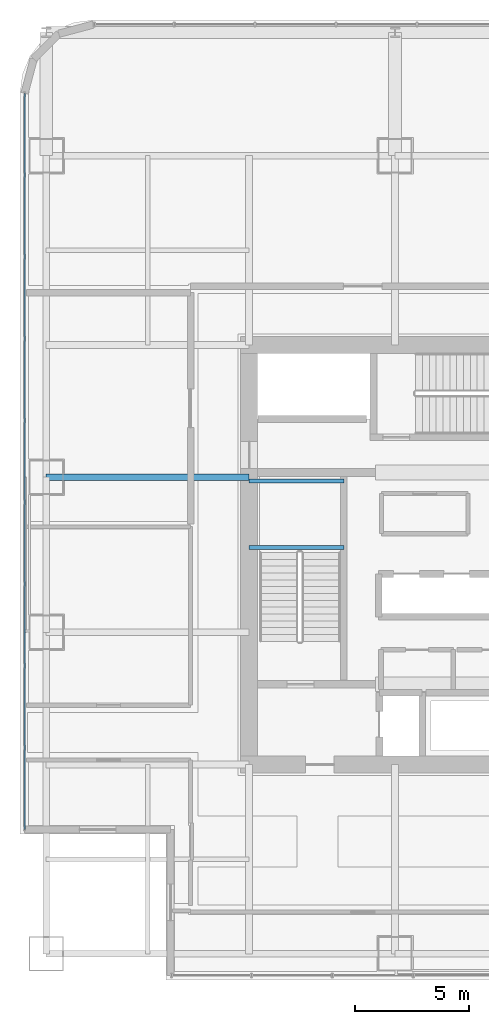
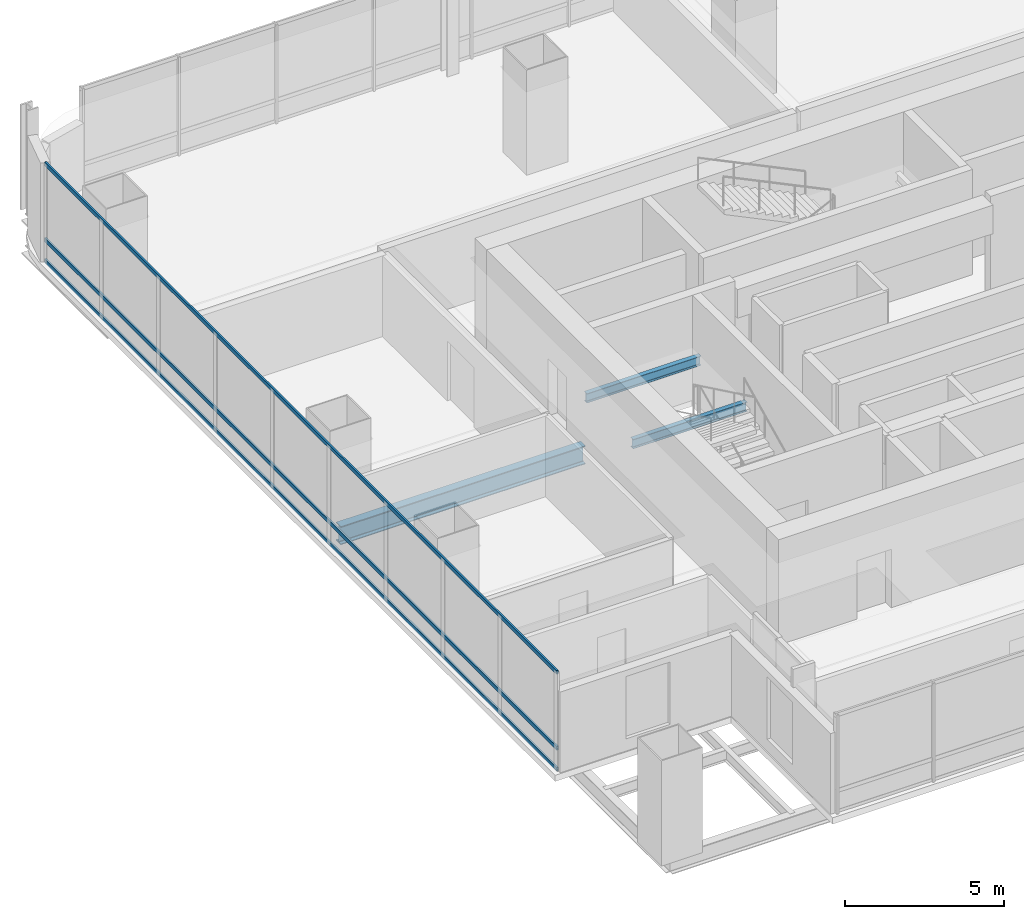
# One storey, part 10 of 35: 3 beams, 3 members, 1 element without a shape of its own.
"""IFC4 building model written with IfcOpenShell, lengths in metres."""

from ifc_helpers import new_model, si_unit, direction, frame, origin, origin_2d, place, context, subcontext, project, spatial, hollow_rectangle, i_section, extrude, material, material_profile, profile_set, type_object, element, aggregate, save


model = new_model("IFC4")

# Units and contexts
model_context = context("Model", 3, precision=1e-05, world=origin(), true_north=direction((0.0, 1.0)))
body_context = subcontext(model_context, "Body", "Model", "MODEL_VIEW")
ifc_project = project(units=[si_unit("LENGTHUNIT", "METRE"), si_unit("AREAUNIT", "SQUARE_METRE"), si_unit("VOLUMEUNIT", "CUBIC_METRE"), si_unit("PLANEANGLEUNIT", "RADIAN"), si_unit("MASSUNIT", "GRAM", prefix="KILO")], contexts=[model_context])

# Site, building, storey
site_placement = place(None, origin())
site = spatial("IfcSite", under=ifc_project, at=site_placement, CompositionType="ELEMENT")
building_placement = place(site_placement, origin())
building = spatial("IfcBuilding", under=site, at=building_placement, Name="Punatoya Terracotta Tower", CompositionType="ELEMENT")
storey_placement = place(building_placement, frame((0.0, 0.0, 113.25)))
storey = spatial("IfcBuildingStorey", under=building, at=storey_placement, Name="L26", CompositionType="ELEMENT", Elevation=113.25)

# Beams
ifc_material_1 = material(Name="Steel S355", Category="steel")
ifc_material_profile_1 = material_profile(ifc_material_1, i_section(OverallWidth=0.300048828125, OverallDepth=0.699951171875, WebThickness=0.01708984375, FlangeThickness=0.031982421875, FilletRadius=0.01806640625, at=origin_2d()))
ifc_profile_set_1 = profile_set([ifc_material_profile_1], Name="Steel S355")
beam_type_1 = type_object("IfcBeamType", Name="BM-PRI-700", PredefinedType="BEAM", material=ifc_profile_set_1)
beam_placement = place(storey_placement, frame((-19.10009765625, 3.39990234375, -0.590087890625), z_axis=(1.0, 0.0, 0.0), x_axis=(0.0, 1.0, 0.0)))
element("IfcBeam", 1, at=beam_placement, inside=storey, type_object=beam_type_1, Name="BM-L26-PR-WE", PredefinedType="BEAM", context=body_context, shape_type="SweptSolid", body=[
    extrude(i_section(OverallWidth=0.300048828125, OverallDepth=0.699951171875, WebThickness=0.01708984375, FlangeThickness=0.031982421875, FilletRadius=0.01806640625, at=origin_2d()), origin(), (0.0, 0.0, 1.0), 8.900146484375),
])
ifc_material_profile_2 = material_profile(ifc_material_1, i_section(OverallWidth=0.169921875, OverallDepth=0.360107421875, WebThickness=0.008056640625, FlangeThickness=0.0126953125, FilletRadius=0.01806640625, at=origin_2d()))
ifc_profile_set_2 = profile_set([ifc_material_profile_2], Name="Steel S355")
beam_type_2 = type_object("IfcBeamType", Name="BM-SEC-360", PredefinedType="JOIST", material=ifc_profile_set_2)
for number, where, z_axis, x_axis, name in (
    (2, (-10.199951171875, 0.320068359375, 1.64501953125), (1.0, 0.0, 0.0), (0.0, 1.0, 0.0), "BM-L26-ST-1-LD1A"),
    (3, (-10.199951171875, 3.22998046875, 1.64501953125), (1.0, 0.0, 0.0), (0.0, 1.0, 0.0), "BM-L26-ST-1-LD1B"),
):
    element("IfcBeam", number, at=place(storey_placement, frame(where, z_axis=z_axis, x_axis=x_axis)), inside=storey, type_object=beam_type_2, Name=name, PredefinedType="JOIST", context=body_context, shape_type="SweptSolid", body=[
        extrude(i_section(OverallWidth=0.169921875, OverallDepth=0.360107421875, WebThickness=0.008056640625, FlangeThickness=0.0126953125, FilletRadius=0.01806640625, at=origin_2d()), origin(), (0.0, 0.0, 1.0), 4.14990234375),
    ])

# Curtain wall, members
ifc_material_2 = material(Name="Aluminium 6063-T6 + Double Low-E Glass", Category="aluminium")
curtain_wall_type = type_object("IfcCurtainWallType", Name="CW-M1", PredefinedType="NOTDEFINED", material=ifc_material_2)
curtain_wall_placement = place(storey_placement, origin())
curtain_wall = element("IfcCurtainWall", 4, at=curtain_wall_placement, inside=storey, type_object=curtain_wall_type, Name="L26 Curtain Wall CW-L26-W12-1", PredefinedType="NOTDEFINED")
ifc_material_3 = material(Name="Aluminium 6063-T6", Category="aluminium")
ifc_material_profile_3 = material_profile(ifc_material_3, hollow_rectangle(XDim=0.068115234375, YDim=0.14990234375, WallThickness=0.00390625, at=origin_2d()))
ifc_profile_set_3 = profile_set([ifc_material_profile_3], Name="Aluminium 6063-T6")
member_type = type_object("IfcMemberType", Name="CW-TRN-TYP", PredefinedType="USERDEFINED", material=ifc_profile_set_3)
member_1_placement = place(storey_placement, frame((-20.050048828125, 20.23681640625, 0.0400390625), z_axis=(0.0, -1.0, 0.0), x_axis=(1.0, 0.0, 0.0)))
member_1 = element("IfcMember", 5, at=member_1_placement, type_object=member_type, Name="CW-L26-W12-1 Transom 1", ObjectType="TRANSOM", PredefinedType="USERDEFINED", context=body_context, shape_type="SweptSolid", body=[
    extrude(hollow_rectangle(XDim=0.068115234375, YDim=0.14990234375, WallThickness=0.00390625, at=origin_2d()), origin(), (0.0, 0.0, 1.0), 32.286865234375),
])
member_2_placement = place(storey_placement, frame((-20.050048828125, 20.23681640625, 0.85009765625), z_axis=(0.0, -1.0, 0.0), x_axis=(1.0, 0.0, 0.0)))
member_2 = element("IfcMember", 6, at=member_2_placement, type_object=member_type, Name="CW-L26-W12-1 Transom 2", ObjectType="TRANSOM", PredefinedType="USERDEFINED", context=body_context, shape_type="SweptSolid", body=[
    extrude(hollow_rectangle(XDim=0.068115234375, YDim=0.14990234375, WallThickness=0.00390625, at=origin_2d()), origin(), (0.0, 0.0, 1.0), 32.286865234375),
])
member_3_placement = place(storey_placement, frame((-20.050048828125, 20.23681640625, 3.77001953125), z_axis=(0.0, -1.0, 0.0), x_axis=(1.0, 0.0, 0.0)))
member_3 = element("IfcMember", 7, at=member_3_placement, type_object=member_type, Name="CW-L26-W12-1 Transom 3", ObjectType="TRANSOM", PredefinedType="USERDEFINED", context=body_context, shape_type="SweptSolid", body=[
    extrude(hollow_rectangle(XDim=0.068115234375, YDim=0.14990234375, WallThickness=0.00390625, at=origin_2d()), origin(), (0.0, 0.0, 1.0), 32.286865234375),
])
aggregate(curtain_wall, [member_1, member_2, member_3])

save(model, "model.ifc")
